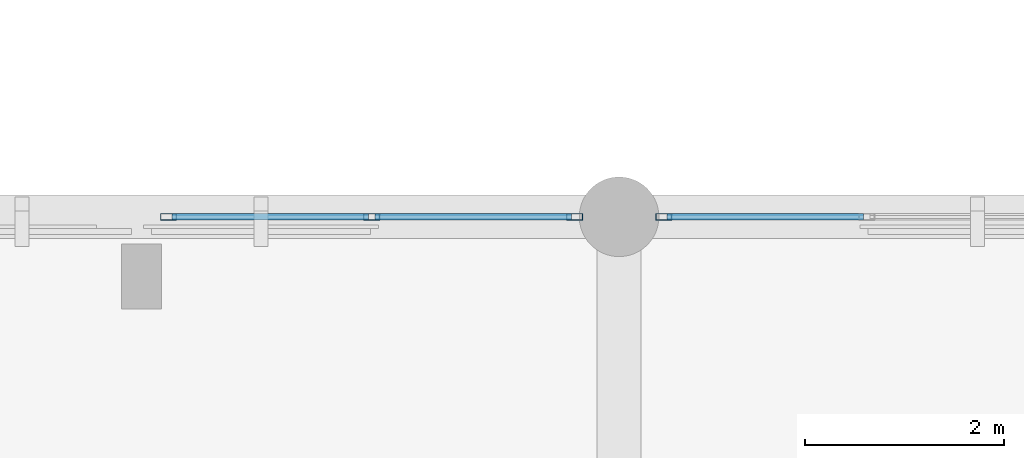
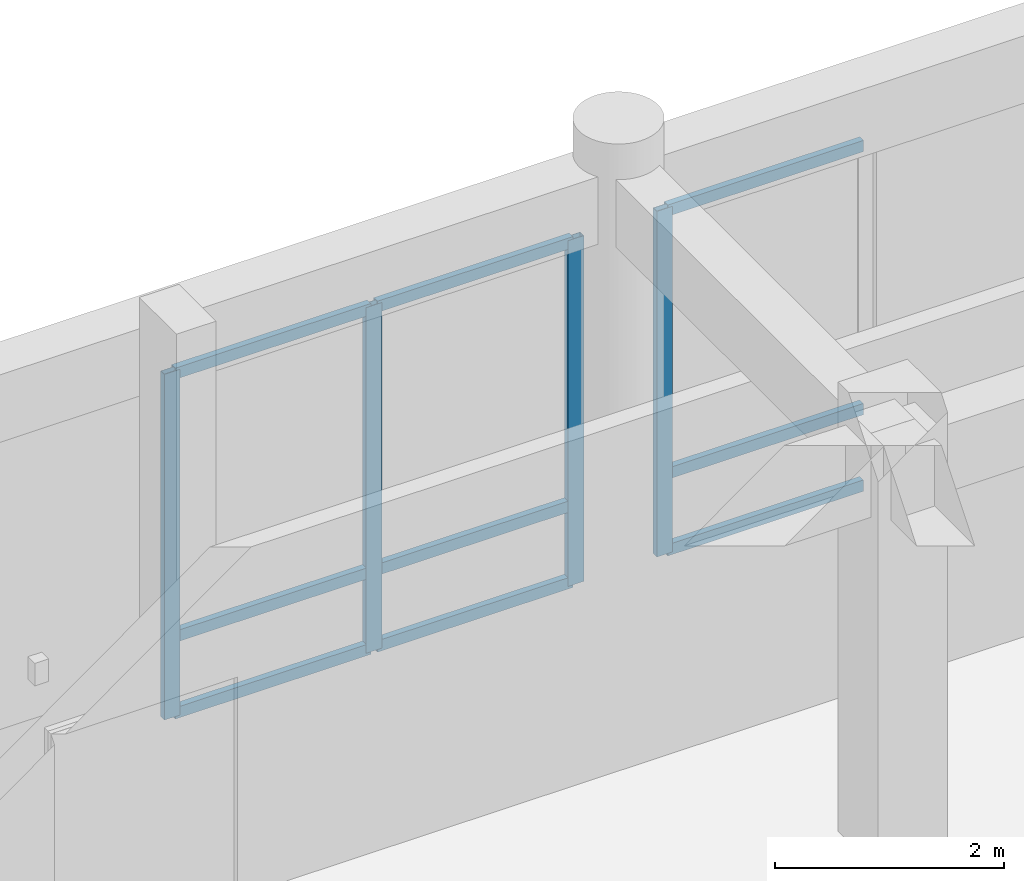
# One storey, part 22 of 133: 13 members, 2 elements without a shape of their own.
"""IFC4 building model written with IfcOpenShell, lengths in metres."""

from ifc_helpers import new_model, si_unit, direction, frame, origin, origin_2d, place, context, subcontext, project, spatial, hollow_rectangle, extrude, material, layer, layer_set, material_profile, profile_set, type_object, element, aggregate, save


model = new_model("IFC4")

# Units and contexts
model_context = context("Model", 3, precision=1e-05, world=origin(), true_north=direction((0.0, 1.0)))
body_context = subcontext(model_context, "Body", "Model", "MODEL_VIEW")
ifc_project = project(units=[si_unit("LENGTHUNIT", "METRE"), si_unit("AREAUNIT", "SQUARE_METRE"), si_unit("VOLUMEUNIT", "CUBIC_METRE"), si_unit("PLANEANGLEUNIT", "RADIAN"), si_unit("MASSUNIT", "GRAM", prefix="KILO")], contexts=[model_context])

# Site, building, storey
site_placement = place(None, origin())
site = spatial("IfcSite", under=ifc_project, at=site_placement, CompositionType="ELEMENT")
building_placement = place(site_placement, origin())
building = spatial("IfcBuilding", under=site, at=building_placement, Name="Nakhvara Creek Congress Hotel", CompositionType="ELEMENT")
storey_placement = place(building_placement, frame((0.0, 0.0, 11.39990234375)))
storey = spatial("IfcBuildingStorey", under=building, at=storey_placement, Name="L02", CompositionType="ELEMENT", Elevation=11.39990234375)

# Curtain wall, members
ifc_material_1 = material(Name="Bronze-anodised aluminium AW-6063-T6 and double-silver low-E glass", Category="aluminium")
ifc_layer = layer(ifc_material_1, 0.199951171875)
ifc_layer_set = layer_set([ifc_layer], Name="Bronze-anodised aluminium AW-6063-T6 and double-silver low-E glass")
curtain_wall_type = type_object("IfcCurtainWallType", Name="CW-POD-STICK", PredefinedType="NOTDEFINED", material=ifc_layer_set)
curtain_wall_1_placement = place(storey_placement, origin())
curtain_wall_1 = element("IfcCurtainWall", 1, at=curtain_wall_1_placement, inside=storey, type_object=curtain_wall_type, Name="Curtain Wall CW033", PredefinedType="NOTDEFINED")
ifc_material_2 = material(Name="Bronze-anodised aluminium AW-6063-T6", Category="aluminium")
ifc_material_profile_1 = material_profile(ifc_material_2, hollow_rectangle(XDim=0.06494140625, YDim=0.159912109375, WallThickness=0.00390625, at=origin_2d()), Name="ALU-MULL 65x160x4", Category="LoadBearing")
ifc_profile_set_1 = profile_set([ifc_material_profile_1], Name="Bronze-anodised aluminium AW-6063-T6")
member_type_1 = type_object("IfcMemberType", Name="CW-MULL-160", PredefinedType="MULLION", material=ifc_profile_set_1)
member_1_placement = place(storey_placement, frame((81.87255859375, 43.199951171875, 0.0), z_axis=(0.0, 0.0, 1.0), x_axis=(0.0, 1.0, 0.0)))
member_1 = element("IfcMember", 2, at=member_1_placement, type_object=member_type_1, Name="CW033 mullion 1", PredefinedType="MULLION", context=body_context, shape_type="SweptSolid", body=[
    extrude(hollow_rectangle(XDim=0.06494140625, YDim=0.159912109375, WallThickness=0.00390625, at=origin_2d()), origin(), (0.0, 0.0, 1.0), 3.692138671875),
])
member_2_placement = place(storey_placement, frame((83.91259765625, 43.199951171875, 0.0), z_axis=(0.0, 0.0, 1.0), x_axis=(0.0, 1.0, 0.0)))
member_2 = element("IfcMember", 3, at=member_2_placement, type_object=member_type_1, Name="CW033 mullion 2", PredefinedType="MULLION", context=body_context, shape_type="SweptSolid", body=[
    extrude(hollow_rectangle(XDim=0.06494140625, YDim=0.159912109375, WallThickness=0.00390625, at=origin_2d()), origin(), (0.0, 0.0, 1.0), 3.692138671875),
])
member_3_placement = place(storey_placement, frame((85.952392578125, 43.199951171875, 0.0), z_axis=(0.0, 0.0, 1.0), x_axis=(0.0, 1.0, 0.0)))
member_3 = element("IfcMember", 4, at=member_3_placement, type_object=member_type_1, Name="CW033 mullion 3", PredefinedType="MULLION", context=body_context, shape_type="SweptSolid", body=[
    extrude(hollow_rectangle(XDim=0.06494140625, YDim=0.159912109375, WallThickness=0.00390625, at=origin_2d()), origin(), (0.0, 0.0, 1.0), 3.692138671875),
])

# Curtain wall, member
curtain_wall_2_placement = place(storey_placement, origin())
curtain_wall_2 = element("IfcCurtainWall", 5, at=curtain_wall_2_placement, inside=storey, type_object=curtain_wall_type, Name="Curtain Wall CW035", PredefinedType="NOTDEFINED")
member_4_placement = place(storey_placement, frame((86.847412109375, 43.199951171875, 0.0), z_axis=(0.0, 0.0, 1.0), x_axis=(0.0, 1.0, 0.0)))
member_4 = element("IfcMember", 6, at=member_4_placement, type_object=member_type_1, Name="CW035 mullion 1", PredefinedType="MULLION", context=body_context, shape_type="SweptSolid", body=[
    extrude(hollow_rectangle(XDim=0.06494140625, YDim=0.159912109375, WallThickness=0.00390625, at=origin_2d()), origin(), (0.0, 0.0, 1.0), 3.692138671875),
])

# Member
ifc_material_profile_2 = material_profile(ifc_material_2, hollow_rectangle(XDim=0.06494140625, YDim=0.1201171875, WallThickness=0.00390625, at=origin_2d()), Name="ALU-TRAN 65x120x4", Category="LoadBearing")
ifc_profile_set_2 = profile_set([ifc_material_profile_2], Name="Bronze-anodised aluminium AW-6063-T6")
member_type_2 = type_object("IfcMemberType", Name="CW-TRAN-120", PredefinedType="USERDEFINED", material=ifc_profile_set_2)
member_5_placement = place(storey_placement, frame((81.905029296875, 43.199951171875, 0.03271484375), z_axis=(1.0, 0.0, 0.0), x_axis=(0.0, 1.0, 0.0)))
member_5 = element("IfcMember", 7, at=member_5_placement, type_object=member_type_2, Name="CW033 transom 1.1", ObjectType="TRANSOM", PredefinedType="USERDEFINED", context=body_context, shape_type="SweptSolid", body=[
    extrude(hollow_rectangle(XDim=0.06494140625, YDim=0.1201171875, WallThickness=0.00390625, at=origin_2d()), origin(), (0.0, 0.0, 1.0), 1.974853515625),
])

member_6_placement = place(storey_placement, frame((81.905029296875, 43.199951171875, 0.85009765625), z_axis=(1.0, 0.0, 0.0), x_axis=(0.0, 1.0, 0.0)))
member_6 = element("IfcMember", 8, at=member_6_placement, type_object=member_type_2, Name="CW033 transom 1.2", ObjectType="TRANSOM", PredefinedType="USERDEFINED", context=body_context, shape_type="SweptSolid", body=[
    extrude(hollow_rectangle(XDim=0.06494140625, YDim=0.1201171875, WallThickness=0.00390625, at=origin_2d()), origin(), (0.0, 0.0, 1.0), 1.974853515625),
])

member_7_placement = place(storey_placement, frame((81.905029296875, 43.199951171875, 3.65966796875), z_axis=(1.0, 0.0, 0.0), x_axis=(0.0, 1.0, 0.0)))
member_7 = element("IfcMember", 9, at=member_7_placement, type_object=member_type_2, Name="CW033 transom 1.3", ObjectType="TRANSOM", PredefinedType="USERDEFINED", context=body_context, shape_type="SweptSolid", body=[
    extrude(hollow_rectangle(XDim=0.06494140625, YDim=0.1201171875, WallThickness=0.00390625, at=origin_2d()), origin(), (0.0, 0.0, 1.0), 1.974853515625),
])

member_8_placement = place(storey_placement, frame((83.945068359375, 43.199951171875, 0.03271484375), z_axis=(1.0, 0.0, 0.0), x_axis=(0.0, 1.0, 0.0)))
member_8 = element("IfcMember", 10, at=member_8_placement, type_object=member_type_2, Name="CW033 transom 2.1", ObjectType="TRANSOM", PredefinedType="USERDEFINED", context=body_context, shape_type="SweptSolid", body=[
    extrude(hollow_rectangle(XDim=0.06494140625, YDim=0.1201171875, WallThickness=0.00390625, at=origin_2d()), origin(), (0.0, 0.0, 1.0), 1.974853515625),
])

member_9_placement = place(storey_placement, frame((83.945068359375, 43.199951171875, 0.85009765625), z_axis=(1.0, 0.0, 0.0), x_axis=(0.0, 1.0, 0.0)))
member_9 = element("IfcMember", 11, at=member_9_placement, type_object=member_type_2, Name="CW033 transom 2.2", ObjectType="TRANSOM", PredefinedType="USERDEFINED", context=body_context, shape_type="SweptSolid", body=[
    extrude(hollow_rectangle(XDim=0.06494140625, YDim=0.1201171875, WallThickness=0.00390625, at=origin_2d()), origin(), (0.0, 0.0, 1.0), 1.974853515625),
])

member_10_placement = place(storey_placement, frame((83.945068359375, 43.199951171875, 3.65966796875), z_axis=(1.0, 0.0, 0.0), x_axis=(0.0, 1.0, 0.0)))
member_10 = element("IfcMember", 12, at=member_10_placement, type_object=member_type_2, Name="CW033 transom 2.3", ObjectType="TRANSOM", PredefinedType="USERDEFINED", context=body_context, shape_type="SweptSolid", body=[
    extrude(hollow_rectangle(XDim=0.06494140625, YDim=0.1201171875, WallThickness=0.00390625, at=origin_2d()), origin(), (0.0, 0.0, 1.0), 1.974853515625),
])

aggregate(curtain_wall_1, [member_1, member_2, member_3, member_5, member_6, member_7, member_8, member_9, member_10])

member_11_placement = place(storey_placement, frame((86.8798828125, 43.199951171875, 0.03271484375), z_axis=(1.0, 0.0, 0.0), x_axis=(0.0, 1.0, 0.0)))
member_11 = element("IfcMember", 13, at=member_11_placement, type_object=member_type_2, Name="CW035 transom 1.1", ObjectType="TRANSOM", PredefinedType="USERDEFINED", context=body_context, shape_type="SweptSolid", body=[
    extrude(hollow_rectangle(XDim=0.06494140625, YDim=0.1201171875, WallThickness=0.00390625, at=origin_2d()), origin(), (0.0, 0.0, 1.0), 1.97509765625),
])

member_12_placement = place(storey_placement, frame((86.8798828125, 43.199951171875, 0.85009765625), z_axis=(1.0, 0.0, 0.0), x_axis=(0.0, 1.0, 0.0)))
member_12 = element("IfcMember", 14, at=member_12_placement, type_object=member_type_2, Name="CW035 transom 1.2", ObjectType="TRANSOM", PredefinedType="USERDEFINED", context=body_context, shape_type="SweptSolid", body=[
    extrude(hollow_rectangle(XDim=0.06494140625, YDim=0.1201171875, WallThickness=0.00390625, at=origin_2d()), origin(), (0.0, 0.0, 1.0), 1.97509765625),
])

member_13_placement = place(storey_placement, frame((86.8798828125, 43.199951171875, 3.65966796875), z_axis=(1.0, 0.0, 0.0), x_axis=(0.0, 1.0, 0.0)))
member_13 = element("IfcMember", 15, at=member_13_placement, type_object=member_type_2, Name="CW035 transom 1.3", ObjectType="TRANSOM", PredefinedType="USERDEFINED", context=body_context, shape_type="SweptSolid", body=[
    extrude(hollow_rectangle(XDim=0.06494140625, YDim=0.1201171875, WallThickness=0.00390625, at=origin_2d()), origin(), (0.0, 0.0, 1.0), 1.97509765625),
])

aggregate(curtain_wall_2, [member_4, member_11, member_12, member_13])

save(model, "model.ifc")
